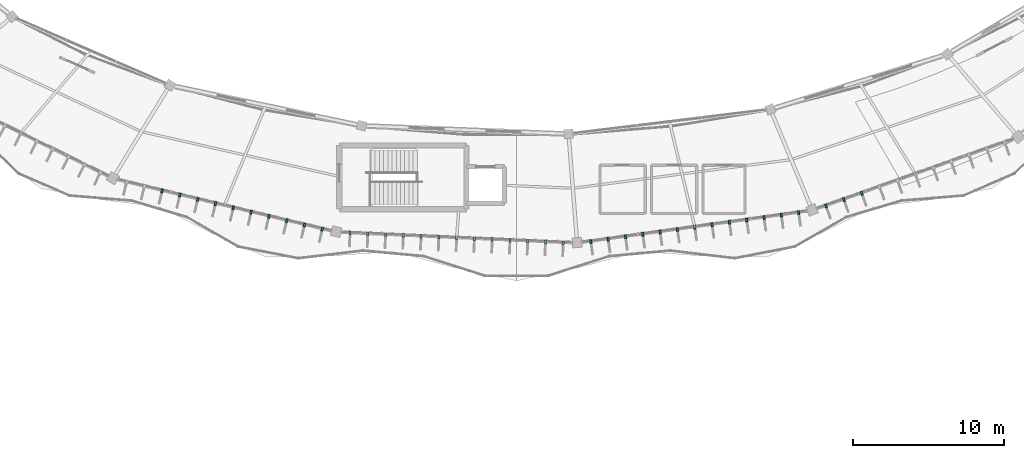
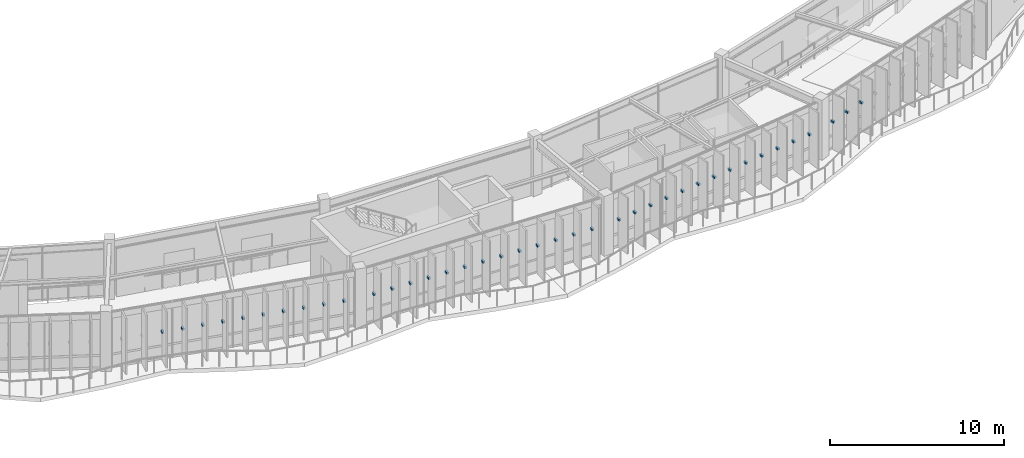
# One storey, part 99 of 114: 39 discrete accessories.
"""IFC4 building model written with IfcOpenShell, lengths in metres."""

from ifc_helpers import new_model, si_unit, direction, frame, origin, origin_2d, place, context, subcontext, project, spatial, rectangle, extrude, material, type_object, element, save


model = new_model("IFC4")

# Units and contexts
model_context = context("Model", 3, precision=1e-05, world=origin(), true_north=direction((0.0, 1.0)))
body_context = subcontext(model_context, "Body", "Model", "MODEL_VIEW")
ifc_project = project(units=[si_unit("LENGTHUNIT", "METRE"), si_unit("AREAUNIT", "SQUARE_METRE"), si_unit("VOLUMEUNIT", "CUBIC_METRE"), si_unit("PLANEANGLEUNIT", "RADIAN"), si_unit("MASSUNIT", "GRAM", prefix="KILO"), si_unit("THERMODYNAMICTEMPERATUREUNIT", "KELVIN"), si_unit("POWERUNIT", "WATT")], contexts=[model_context])

# Site, building, storey
site_placement = place(None, origin())
site = spatial("IfcSite", under=ifc_project, at=site_placement, CompositionType="ELEMENT")
building_placement = place(site_placement, origin())
building = spatial("IfcBuilding", under=site, at=building_placement, Name="Darbajah Civic Hall", CompositionType="ELEMENT")
storey_placement = place(building_placement, frame((0.0, 0.0, 13.800048828125)))
storey = spatial("IfcBuildingStorey", under=building, at=storey_placement, Name="L03", CompositionType="ELEMENT", Elevation=13.800048828125)

# Discrete accessories
ifc_material = material(Name="Stainless Steel S355JR", Category="steel")
discrete_accessory_type = type_object("IfcDiscreteAccessoryType", Name="Stainless Facade Support Bracket", PredefinedType="BRACKET", material=ifc_material)
for number, where, z_axis, x_axis, name in (
    (1, (65.6953125, 63.80859375, 1.89013671875), (0.0, 0.0, 1.0), (-0.232936200179, -0.972492018808, 0.0), "L03 shading fin bracket 13-3"),
    (2, (66.870849609375, 63.52685546875, 1.89013671875), (0.0, 0.0, 1.0), (-0.232936200179, -0.972492018808, 0.0), "L03 shading fin bracket 13-4"),
    (3, (68.04638671875, 63.2451171875, 1.89013671875), (0.0, 0.0, 1.0), (-0.232936200179, -0.972492018808, 0.0), "L03 shading fin bracket 13-5"),
    (4, (69.2216796875, 62.963623046875, 1.89013671875), (0.0, 0.0, 1.0), (-0.232936200179, -0.972492018808, 0.0), "L03 shading fin bracket 13-6"),
    (5, (70.397216796875, 62.681884765625, 1.89013671875), (0.0, 0.0, 1.0), (-0.232936200179, -0.972492018808, 0.0), "L03 shading fin bracket 13-7"),
    (6, (71.57275390625, 62.400390625, 1.89013671875), (0.0, 0.0, 1.0), (-0.232936200179, -0.972492018808, 0.0), "L03 shading fin bracket 13-8"),
    (7, (72.748291015625, 62.11865234375, 1.89013671875), (0.0, 0.0, 1.0), (-0.232936200179, -0.972492018808, 0.0), "L03 shading fin bracket 13-9"),
    (8, (73.923583984375, 61.8369140625, 1.89013671875), (0.0, 0.0, 1.0), (-0.232936200179, -0.972492018808, 0.0), "L03 shading fin bracket 13-10"),
    (9, (75.09912109375, 61.555419921875, 1.89013671875), (0.0, 0.0, 1.0), (-0.232936200179, -0.972492018808, 0.0), "L03 shading fin bracket 13-11"),
    (10, (76.274658203125, 61.273681640625, 1.89013671875), (0.0, 0.0, 1.0), (-0.232936200179, -0.972492018808, 0.0), "L03 shading fin bracket 13-12"),
    (11, (78.10498046875, 61.013671875, 1.89013671875), (0.0, 0.0, 1.0), (-0.045537340693, -0.998962637241, 0.0), "L03 shading fin bracket 14-1"),
    (12, (79.2783203125, 60.960205078125, 1.89013671875), (0.0, 0.0, 1.0), (-0.045537340693, -0.998962637241, 0.0), "L03 shading fin bracket 14-2"),
    (13, (80.45166015625, 60.90673828125, 1.89013671875), (0.0, 0.0, 1.0), (-0.045537340693, -0.998962637241, 0.0), "L03 shading fin bracket 14-3"),
    (14, (81.625, 60.853271484375, 1.89013671875), (0.0, 0.0, 1.0), (-0.045537340693, -0.998962637241, 0.0), "L03 shading fin bracket 14-4"),
    (15, (82.79833984375, 60.7998046875, 1.89013671875), (0.0, 0.0, 1.0), (-0.045537340693, -0.998962637241, 0.0), "L03 shading fin bracket 14-5"),
    (16, (83.9716796875, 60.74658203125, 1.89013671875), (0.0, 0.0, 1.0), (-0.045537340693, -0.998962637241, 0.0), "L03 shading fin bracket 14-6"),
    (17, (85.14501953125, 60.693115234375, 1.89013671875), (0.0, 0.0, 1.0), (-0.045537340693, -0.998962637241, 0.0), "L03 shading fin bracket 14-7"),
    (18, (86.318603515625, 60.6396484375, 1.89013671875), (0.0, 0.0, 1.0), (-0.045537340693, -0.998962637241, 0.0), "L03 shading fin bracket 14-8"),
    (19, (87.49169921875, 60.586181640625, 1.89013671875), (0.0, 0.0, 1.0), (-0.045537340693, -0.998962637241, 0.0), "L03 shading fin bracket 14-9"),
    (20, (88.665283203125, 60.53271484375, 1.89013671875), (0.0, 0.0, 1.0), (-0.045537340693, -0.998962637241, 0.0), "L03 shading fin bracket 14-10"),
    (21, (89.838623046875, 60.4794921875, 1.89013671875), (0.0, 0.0, 1.0), (-0.045537340693, -0.998962637241, 0.0), "L03 shading fin bracket 14-11"),
    (22, (91.011962890625, 60.426025390625, 1.89013671875), (0.0, 0.0, 1.0), (-0.045537340693, -0.998962637241, 0.0), "L03 shading fin bracket 14-12"),
    (23, (92.185302734375, 60.37255859375, 1.89013671875), (0.0, 0.0, 1.0), (-0.045537340693, -0.998962637241, 0.0), "L03 shading fin bracket 14-13"),
    (24, (94.00537109375, 60.455810546875, 1.89013671875), (0.0, 0.0, 1.0), (0.137617420457, -0.990485459553, 0.0), "L03 shading fin bracket 15-1"),
    (25, (95.149169921875, 60.61474609375, 1.89013671875), (0.0, 0.0, 1.0), (0.137617420457, -0.990485459553, 0.0), "L03 shading fin bracket 15-2"),
    (26, (96.292724609375, 60.7734375, 1.89013671875), (0.0, 0.0, 1.0), (0.137617420457, -0.990485459553, 0.0), "L03 shading fin bracket 15-3"),
    (27, (97.436279296875, 60.932373046875, 1.89013671875), (0.0, 0.0, 1.0), (0.137617420457, -0.990485459553, 0.0), "L03 shading fin bracket 15-4"),
    (28, (98.580078125, 61.09130859375, 1.89013671875), (0.0, 0.0, 1.0), (0.137617420457, -0.990485459553, 0.0), "L03 shading fin bracket 15-5"),
    (29, (99.7236328125, 61.25, 1.89013671875), (0.0, 0.0, 1.0), (0.137617420457, -0.990485459553, 0.0), "L03 shading fin bracket 15-6"),
    (30, (100.867431640625, 61.40869140625, 1.89013671875), (0.0, 0.0, 1.0), (0.137617420457, -0.990485459553, 0.0), "L03 shading fin bracket 15-7"),
    (31, (102.010986328125, 61.567626953125, 1.89013671875), (0.0, 0.0, 1.0), (0.137617420457, -0.990485459553, 0.0), "L03 shading fin bracket 15-8"),
    (32, (103.15478515625, 61.7265625, 1.89013671875), (0.0, 0.0, 1.0), (0.137617420457, -0.990485459553, 0.0), "L03 shading fin bracket 15-9"),
    (33, (104.29833984375, 61.88525390625, 1.89013671875), (0.0, 0.0, 1.0), (0.137617420457, -0.990485459553, 0.0), "L03 shading fin bracket 15-10"),
    (34, (105.442138671875, 62.044189453125, 1.89013671875), (0.0, 0.0, 1.0), (0.137617420457, -0.990485459553, 0.0), "L03 shading fin bracket 15-11"),
    (35, (106.585693359375, 62.202880859375, 1.89013671875), (0.0, 0.0, 1.0), (0.137617420457, -0.990485459553, 0.0), "L03 shading fin bracket 15-12"),
    (36, (107.7294921875, 62.36181640625, 1.89013671875), (0.0, 0.0, 1.0), (0.137617420457, -0.990485459553, 0.0), "L03 shading fin bracket 15-13"),
    (37, (109.535400390625, 62.8076171875, 1.89013671875), (0.0, 0.0, 1.0), (0.334135882844, -0.94252491309, 0.0), "L03 shading fin bracket 16-1"),
    (38, (110.71630859375, 63.22607421875, 1.89013671875), (0.0, 0.0, 1.0), (0.334135882844, -0.94252491309, 0.0), "L03 shading fin bracket 16-2"),
    (39, (111.897216796875, 63.64453125, 1.89013671875), (0.0, 0.0, 1.0), (0.334135882844, -0.94252491309, 0.0), "L03 shading fin bracket 16-3"),
):
    element("IfcDiscreteAccessory", number, at=place(storey_placement, frame(where, z_axis=z_axis, x_axis=x_axis)), inside=storey, type_object=discrete_accessory_type, Name=name, PredefinedType="BRACKET", context=body_context, shape_type="SweptSolid", body=[
        extrude(rectangle(XDim=0.260009765625, YDim=0.139892578125, at=origin_2d()), origin(), (0.0, 0.0, 1.0), 0.139892578125),
    ])

save(model, "model.ifc")
